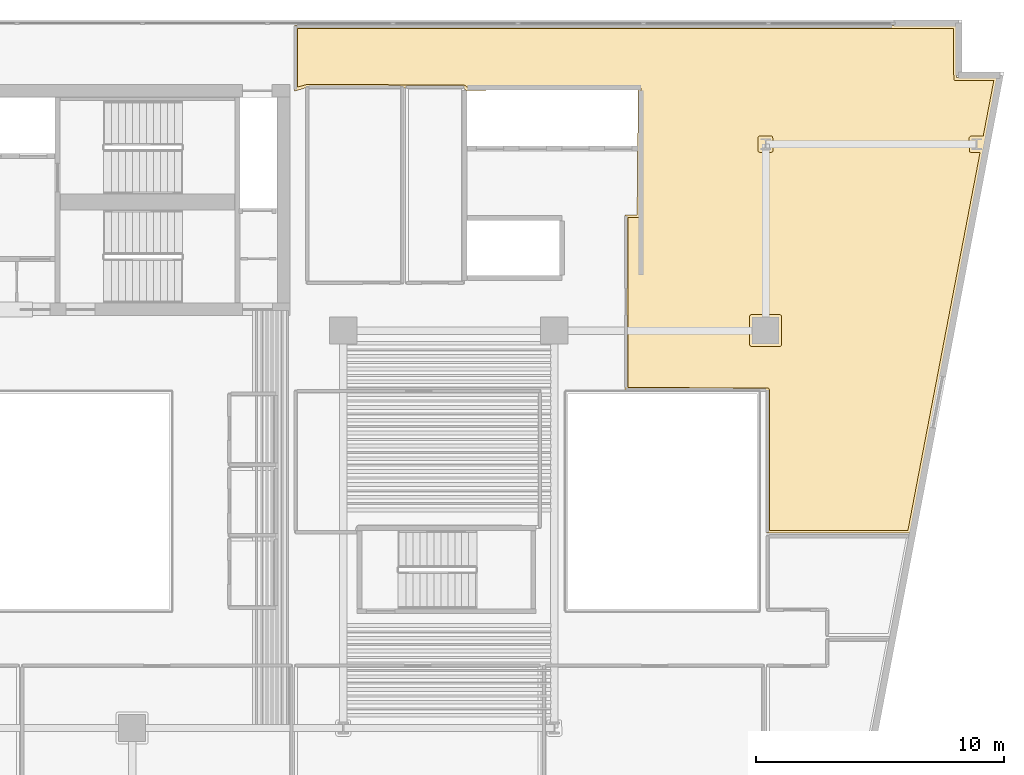
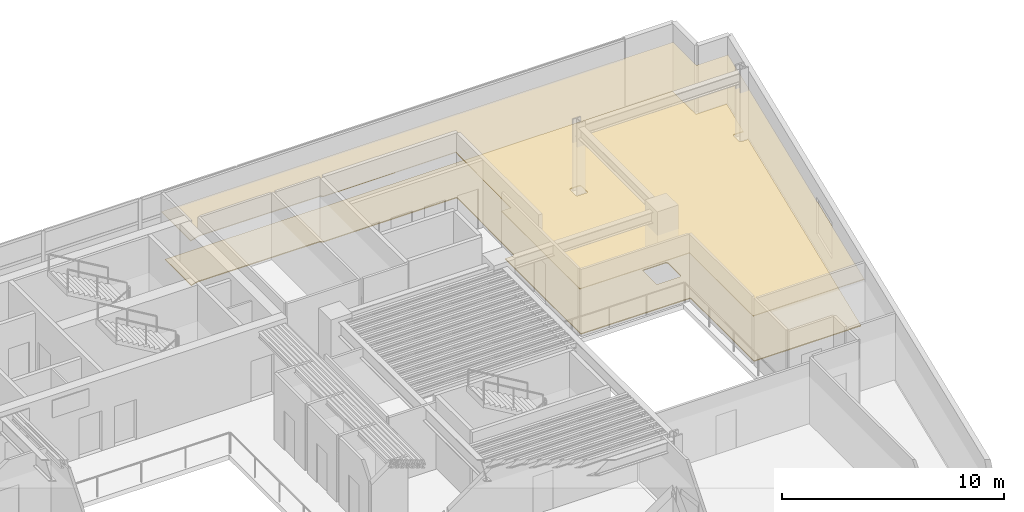
# One storey, part 13 of 13: 2 coverings.
"""IFC4 building model written with IfcOpenShell, lengths in metres."""

from ifc_helpers import new_model, si_unit, direction, frame, origin, place, context, subcontext, project, spatial, polyline, outline, extrude, material, layer, layer_set, type_object, element, save


model = new_model("IFC4")

# Units and contexts
model_context = context("Model", 3, precision=1e-05, world=origin(), true_north=direction((0.0, 1.0)))
body_context = subcontext(model_context, "Body", "Model", "MODEL_VIEW")
ifc_project = project(units=[si_unit("LENGTHUNIT", "METRE"), si_unit("AREAUNIT", "SQUARE_METRE"), si_unit("VOLUMEUNIT", "CUBIC_METRE"), si_unit("PLANEANGLEUNIT", "RADIAN"), si_unit("MASSUNIT", "GRAM", prefix="KILO")], contexts=[model_context])

# Site, building, storey
site_placement = place(None, origin())
site = spatial("IfcSite", under=ifc_project, at=site_placement, CompositionType="ELEMENT")
building_placement = place(site_placement, origin())
building = spatial("IfcBuilding", under=site, at=building_placement, Name="Caeloran Harvest Quay", CompositionType="ELEMENT")
storey_placement = place(building_placement, frame((0.0, 0.0, 123.25)))
storey = spatial("IfcBuildingStorey", under=building, at=storey_placement, Name="L28", CompositionType="ELEMENT", Elevation=123.25)

# Coverings
ifc_material_1 = material(Name="Perforated Mineral-Fibre Acoustic Ceiling Tile", Category="ceiling")
ifc_layer_1 = layer(ifc_material_1, 0.0400390625, Name="Perforated Mineral-Fibre Acoustic Ceiling Tile")
ifc_layer_set_1 = layer_set([ifc_layer_1], Name="Perforated Mineral-Fibre Acoustic Ceiling Tile")
covering_type_1 = type_object("IfcCoveringType", Name="COV-CEILING-ACOUSTIC", PredefinedType="CEILING", material=ifc_layer_set_1)
covering_1_placement = place(storey_placement, frame((0.0, 0.0, 2.60009765625)))
element("IfcCovering", 1, at=covering_1_placement, inside=storey, type_object=covering_type_1, Name="Controlled-Climate Simulation Lab 10 Acoustic Ceiling", PredefinedType="CEILING", context=body_context, shape_type="SweptSolid", body=[
    extrude(outline(polyline([(50.179931640625, 43.280029296875), (50.179931640625, 41.179931640625), (51.8330078125, 41.179931640625), (48.33056640625, 22.840087890625), (42.5400390625, 22.840087890625), (42.5400390625, 28.569580078125), (36.840087890625, 28.590087890625), (36.840087890625, 35.659912109375), (37.330322265625, 35.659912109375), (37.36962890625, 40.68994140625), (30.447021484375, 40.669921875), (30.36279296875, 40.758544921875), (24.0556640625, 40.7900390625), (23.5400390625, 40.63916015625), (23.5400390625, 43.280029296875), (50.179931640625, 43.280029296875)])), origin(), (0.0, 0.0, 1.0), 0.039794921875),
])
ifc_material_2 = material(Name="Calcium-Sulphate Raised Access Floor and Terrazzo Finish", Category="flooring")
ifc_layer_2 = layer(ifc_material_2, 0.050048828125, Name="Calcium-Sulphate Raised Access Floor and Terrazzo Finish")
ifc_layer_set_2 = layer_set([ifc_layer_2], Name="Calcium-Sulphate Raised Access Floor and Terrazzo Finish")
covering_type_2 = type_object("IfcCoveringType", Name="COV-FLOOR-RAISED", PredefinedType="FLOORING", material=ifc_layer_set_2)
covering_2_placement = place(storey_placement, origin())
element("IfcCovering", 2, at=covering_2_placement, inside=storey, type_object=covering_type_2, Name="Controlled-Climate Simulation Lab 10 Raised Finish Flooring", PredefinedType="FLOORING", context=body_context, shape_type="SweptSolid", body=[
    extrude(outline(polyline([(23.659912109375, 40.79931640625), (23.659912109375, 43.159912109375), (50.06005859375, 43.159912109375), (50.078125, 41.089111328125), (50.139892578125, 41.06005859375), (51.68798828125, 41.06005859375), (51.260986328125, 38.82421875), (50.76513671875, 38.83154296875), (50.694580078125, 38.767578125), (50.70654296875, 38.20361328125), (50.76513671875, 38.16845703125), (51.135498046875, 38.16796875), (48.231201171875, 22.9599609375), (42.659912109375, 22.9599609375), (42.659912109375, 28.609375), (42.617919921875, 28.679931640625), (36.9599609375, 28.709716796875), (36.9599609375, 35.5400390625), (37.377685546875, 35.540283203125), (37.44970703125, 35.611572265625), (37.489990234375, 40.7294921875), (37.45458984375, 40.79638671875), (30.498291015625, 40.7900390625), (30.38037109375, 40.87841796875), (24.05029296875, 40.909912109375), (23.659912109375, 40.79931640625)]), holes=[polyline([(41.93505859375, 31.64501953125), (41.87841796875, 31.62158203125), (41.85498046875, 31.56494140625), (41.85498046875, 30.43505859375), (41.87841796875, 30.37841796875), (41.93505859375, 30.35498046875), (43.06494140625, 30.35498046875), (43.12158203125, 30.37841796875), (43.14501953125, 30.43505859375), (43.14501953125, 31.56494140625), (43.12158203125, 31.62158203125), (43.06494140625, 31.64501953125), (41.93505859375, 31.64501953125)]), polyline([(42.806884765625, 38.248046875), (42.788818359375, 38.802734375), (42.73486328125, 38.83154296875), (42.27294921875, 38.83203125), (42.21630859375, 38.80859375), (42.193115234375, 38.751953125), (42.193115234375, 38.248046875), (42.21630859375, 38.19140625), (42.27294921875, 38.16796875), (42.72705078125, 38.16796875), (42.78369140625, 38.19140625), (42.806884765625, 38.248046875)])]), origin(), (0.0, 0.0, 1.0), 0.050048828125),
])

save(model, "model.ifc")
